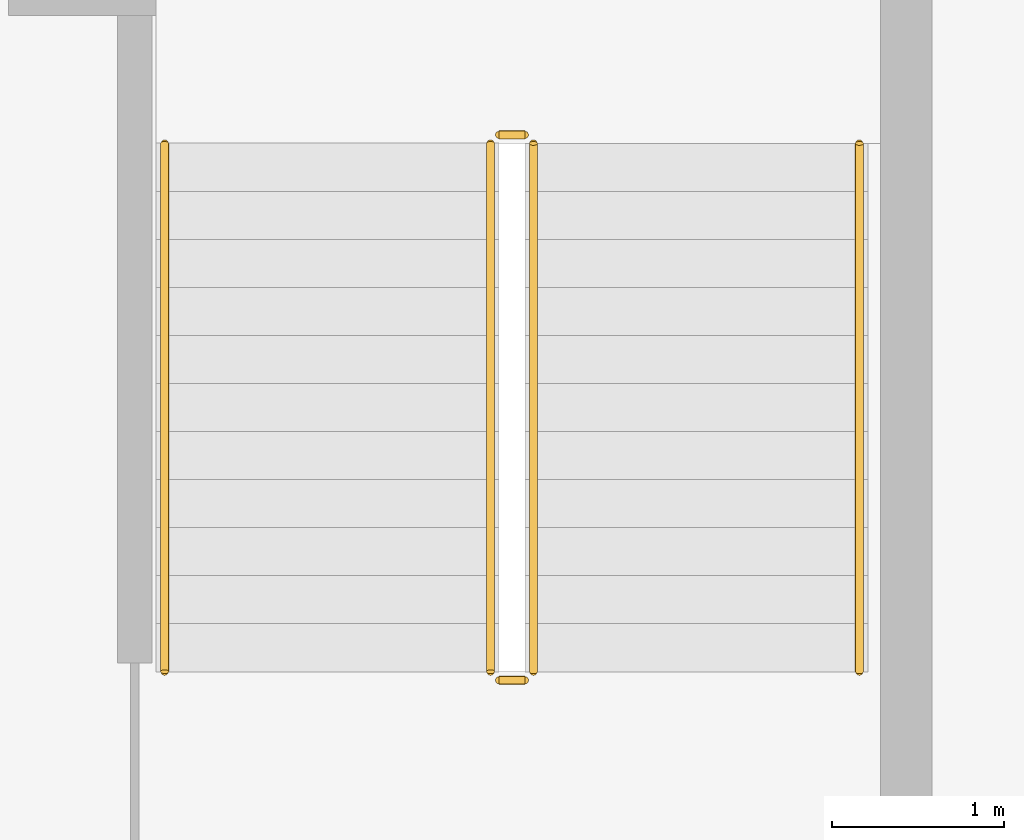
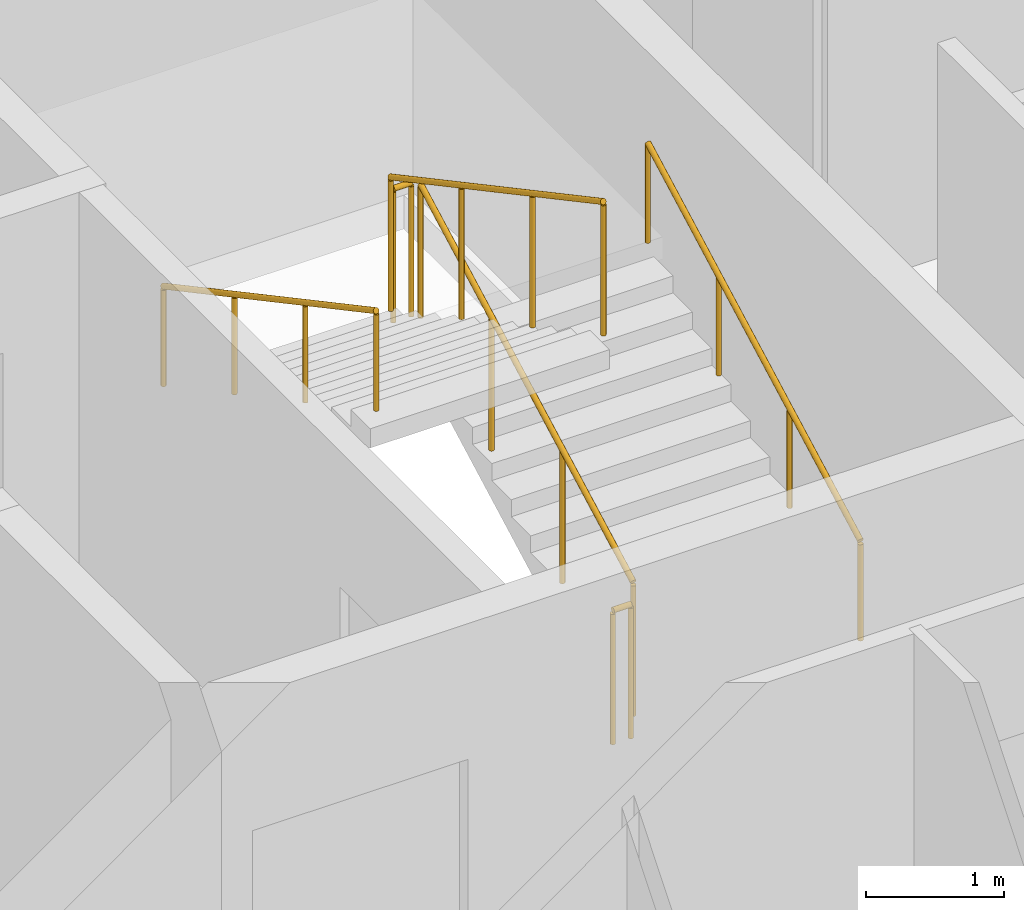
# One storey, part 16 of 16: 6 railings.
"""IFC4 building model written with IfcOpenShell, lengths in metres."""

from ifc_helpers import new_model, si_unit, direction, frame, origin, origin_2d, place, context, subcontext, project, spatial, circle, extrude, material, type_object, element, save


model = new_model("IFC4")

# Units and contexts
model_context = context("Model", 3, precision=1e-05, world=origin(), true_north=direction((0.0, 1.0)))
body_context = subcontext(model_context, "Body", "Model", "MODEL_VIEW")
ifc_project = project(units=[si_unit("LENGTHUNIT", "METRE"), si_unit("AREAUNIT", "SQUARE_METRE"), si_unit("VOLUMEUNIT", "CUBIC_METRE"), si_unit("PLANEANGLEUNIT", "RADIAN"), si_unit("MASSUNIT", "GRAM", prefix="KILO")], contexts=[model_context])

# Site, building, storey
site_placement = place(None, origin())
site = spatial("IfcSite", under=ifc_project, at=site_placement, CompositionType="ELEMENT")
building_placement = place(site_placement, origin())
building = spatial("IfcBuilding", under=site, at=building_placement, Name="Caravel Reach Hotel and Residences", CompositionType="ELEMENT")
storey_placement = place(building_placement, frame((0.0, 0.0, 133.199951171875)))
storey = spatial("IfcBuildingStorey", under=building, at=storey_placement, Name="L33", CompositionType="ELEMENT", Elevation=133.199951171875)

# Railings
ifc_material_1 = material(Name="Steel balustrade with glass infill", Category="steel")
railing_type_1 = type_object("IfcRailingType", Name="Guard 1200", PredefinedType="GUARDRAIL", material=ifc_material_1)
railing_1_placement = place(storey_placement, frame((42.824951171875, 24.64990234375, 0.150146484375)))
element("IfcRailing", 1, at=railing_1_placement, inside=storey, type_object=railing_type_1, Name="L33 ST-B stair guard 1", PredefinedType="GUARDRAIL", context=body_context, shape_type="SweptSolid", body=[
    extrude(circle(Radius=0.02392578125, at=origin_2d()), frame((0.0, 0.0, 1.17578125), z_axis=(0.0, 0.881496589024, 0.472190389079), x_axis=(-1.0, 0.0, 0.0)), (0.0, 0.0, 1.0), 3.494140625),
    extrude(circle(Radius=0.02099609375, at=origin_2d()), origin(), (0.0, 0.0, 1.0), 1.15185546875),
    extrude(circle(Radius=0.02099609375, at=origin_2d()), frame((0.0, 1.026611328125, 0.550048828125)), (0.0, 0.0, 1.0), 1.15185546875),
    extrude(circle(Radius=0.02099609375, at=origin_2d()), frame((0.0, 2.053466796875, 1.099853515625)), (0.0, 0.0, 1.0), 1.15185546875),
    extrude(circle(Radius=0.02099609375, at=origin_2d()), frame((0.0, 3.080078125, 1.64990234375)), (0.0, 0.0, 1.0), 1.15185546875),
])
railing_2_placement = place(storey_placement, frame((42.77490234375, 27.780029296875, 1.800048828125)))
element("IfcRailing", 2, at=railing_2_placement, inside=storey, type_object=railing_type_1, Name="L33 ST-B stair guard 2", PredefinedType="GUARDRAIL", context=body_context, shape_type="SweptSolid", body=[
    extrude(circle(Radius=0.02392578125, at=origin_2d()), frame((0.0, 0.0, 1.17578125), z_axis=(-1.0, 0.0, 0.0), x_axis=(0.0, -1.0, 0.0)), (0.0, 0.0, 1.0), 0.14990234375),
    extrude(circle(Radius=0.02099609375, at=origin_2d()), origin(), (0.0, 0.0, 1.0), 1.15185546875),
    extrude(circle(Radius=0.02099609375, at=origin_2d()), frame((-0.14990234375, 0.0, 0.0)), (0.0, 0.0, 1.0), 1.15185546875),
])
railing_3_placement = place(storey_placement, frame((42.574951171875, 27.72998046875, 1.949951171875)))
element("IfcRailing", 3, at=railing_3_placement, inside=storey, type_object=railing_type_1, Name="L33 ST-B stair guard 3", PredefinedType="GUARDRAIL", context=body_context, shape_type="SweptSolid", body=[
    extrude(circle(Radius=0.02392578125, at=origin_2d()), frame((0.0, 0.0, 1.17578125), z_axis=(0.0, -0.881467505477, 0.472244678941), x_axis=(1.0, 0.0, 0.0)), (0.0, 0.0, 1.0), 3.494140625),
    extrude(circle(Radius=0.02099609375, at=origin_2d()), origin(), (0.0, 0.0, 1.0), 1.15185546875),
    extrude(circle(Radius=0.02099609375, at=origin_2d()), frame((0.0, -1.026611328125, 0.550048828125)), (0.0, 0.0, 1.0), 1.15185546875),
    extrude(circle(Radius=0.02099609375, at=origin_2d()), frame((0.0, -2.053466796875, 1.10009765625)), (0.0, 0.0, 1.0), 1.15185546875),
    extrude(circle(Radius=0.02099609375, at=origin_2d()), frame((0.0, -3.080078125, 1.650146484375)), (0.0, 0.0, 1.0), 1.15185546875),
])
railing_4_placement = place(storey_placement, frame((42.77490234375, 24.60009765625, 0.0)))
element("IfcRailing", 4, at=railing_4_placement, inside=storey, type_object=railing_type_1, Name="L33 ST-B stair guard 4", PredefinedType="GUARDRAIL", context=body_context, shape_type="SweptSolid", body=[
    extrude(circle(Radius=0.02392578125, at=origin_2d()), frame((0.0, 0.0, 1.17578125), z_axis=(-1.0, 0.0, 0.0), x_axis=(0.0, -1.0, 0.0)), (0.0, 0.0, 1.0), 0.14990234375),
    extrude(circle(Radius=0.02099609375, at=origin_2d()), origin(), (0.0, 0.0, 1.0), 1.15185546875),
    extrude(circle(Radius=0.02099609375, at=origin_2d()), frame((-0.14990234375, 0.0, 0.0)), (0.0, 0.0, 1.0), 1.15185546875),
])
ifc_material_2 = material(Name="Stainless steel handrail", Category="steel")
railing_type_2 = type_object("IfcRailingType", Name="Handrail 900", PredefinedType="HANDRAIL", material=ifc_material_2)
railing_5_placement = place(storey_placement, frame((44.72509765625, 24.64990234375, 0.150146484375)))
element("IfcRailing", 5, at=railing_5_placement, inside=storey, type_object=railing_type_2, Name="L33 ST-B stair handrail 1", PredefinedType="HANDRAIL", context=body_context, shape_type="SweptSolid", body=[
    extrude(circle(Radius=0.02392578125, at=origin_2d()), frame((0.0, 0.0, 0.8759765625), z_axis=(0.0, 0.881496589024, 0.472190389079), x_axis=(-1.0, 0.0, 0.0)), (0.0, 0.0, 1.0), 3.494140625),
    extrude(circle(Radius=0.02099609375, at=origin_2d()), origin(), (0.0, 0.0, 1.0), 0.851806640625),
    extrude(circle(Radius=0.02099609375, at=origin_2d()), frame((0.0, 1.026611328125, 0.550048828125)), (0.0, 0.0, 1.0), 0.851806640625),
    extrude(circle(Radius=0.02099609375, at=origin_2d()), frame((0.0, 2.053466796875, 1.099853515625)), (0.0, 0.0, 1.0), 0.851806640625),
    extrude(circle(Radius=0.02099609375, at=origin_2d()), frame((0.0, 3.080078125, 1.64990234375)), (0.0, 0.0, 1.0), 0.851806640625),
])
railing_6_placement = place(storey_placement, frame((40.675048828125, 27.72998046875, 1.949951171875)))
element("IfcRailing", 6, at=railing_6_placement, inside=storey, type_object=railing_type_2, Name="L33 ST-B stair handrail 2", PredefinedType="HANDRAIL", context=body_context, shape_type="SweptSolid", body=[
    extrude(circle(Radius=0.02392578125, at=origin_2d()), frame((0.0, 0.0, 0.8759765625), z_axis=(0.0, -0.881467505477, 0.472244678941), x_axis=(1.0, 0.0, 0.0)), (0.0, 0.0, 1.0), 3.494140625),
    extrude(circle(Radius=0.02099609375, at=origin_2d()), origin(), (0.0, 0.0, 1.0), 0.851806640625),
    extrude(circle(Radius=0.02099609375, at=origin_2d()), frame((0.0, -1.026611328125, 0.550048828125)), (0.0, 0.0, 1.0), 0.851806640625),
    extrude(circle(Radius=0.02099609375, at=origin_2d()), frame((0.0, -2.053466796875, 1.10009765625)), (0.0, 0.0, 1.0), 0.851806640625),
    extrude(circle(Radius=0.02099609375, at=origin_2d()), frame((0.0, -3.080078125, 1.650146484375)), (0.0, 0.0, 1.0), 0.851806640625),
])

save(model, "model.ifc")
